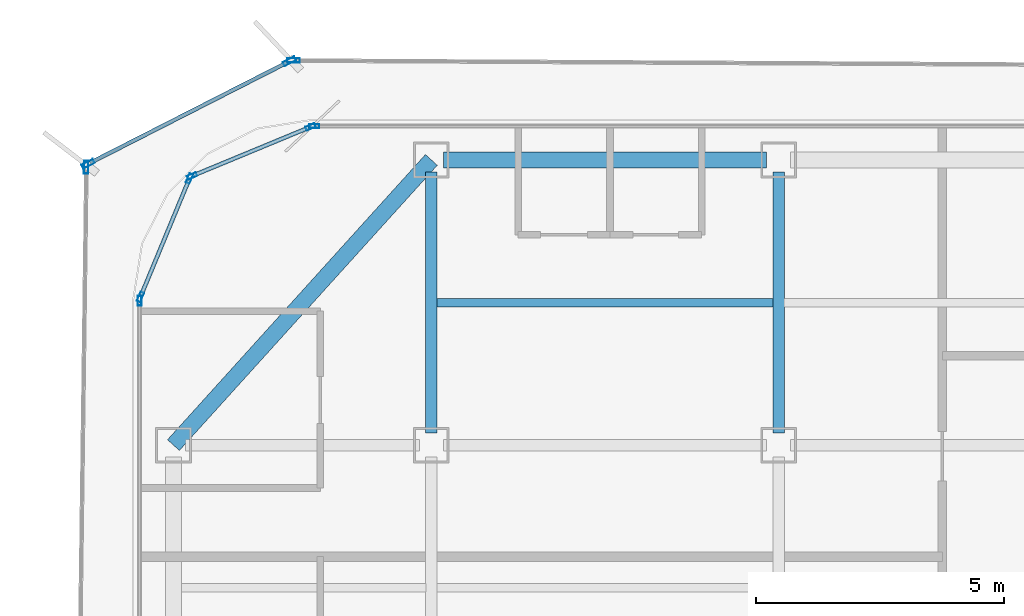
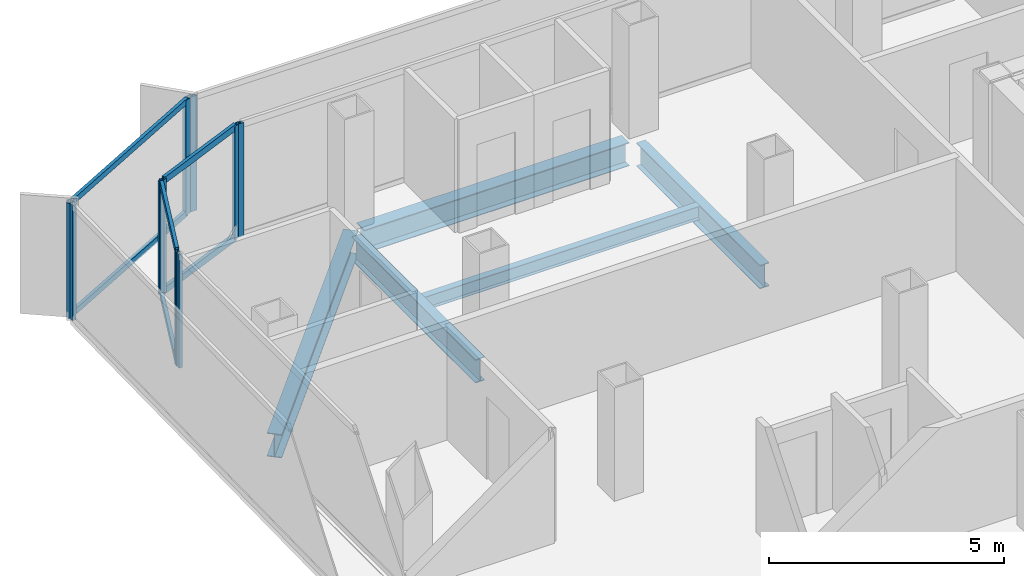
# One storey, part 6 of 15: 16 members, 5 beams, 7 elements without a shape of their own.
"""IFC4 building model written with IfcOpenShell, lengths in metres."""

from ifc_helpers import new_model, si_unit, direction, frame, origin, origin_2d, place, context, subcontext, project, spatial, hollow_rectangle, i_section, extrude, source, transform, mapped, material, layer, layer_set, material_profile, profile_set, type_object, element, aggregate, save


model = new_model("IFC4")

# Units and contexts
model_context = context("Model", 3, precision=1e-05, world=origin(), true_north=direction((0.0, 1.0)))
body_context = subcontext(model_context, "Body", "Model", "MODEL_VIEW")
ifc_project = project(units=[si_unit("LENGTHUNIT", "METRE"), si_unit("AREAUNIT", "SQUARE_METRE"), si_unit("VOLUMEUNIT", "CUBIC_METRE"), si_unit("PLANEANGLEUNIT", "RADIAN"), si_unit("MASSUNIT", "GRAM", prefix="KILO")], contexts=[model_context])

# Site, building, storey
site_placement = place(None, origin())
site = spatial("IfcSite", under=ifc_project, at=site_placement, CompositionType="ELEMENT")
building_placement = place(site_placement, origin())
building = spatial("IfcBuilding", under=site, at=building_placement, Name="Kolveth Station Tower", CompositionType="ELEMENT")
storey_placement = place(building_placement, frame((0.0, 0.0, 168.89990234375)))
storey = spatial("IfcBuildingStorey", under=building, at=storey_placement, Name="L47", CompositionType="ELEMENT", Elevation=168.89990234375)

# Beams
ifc_material_1 = material(Name="Steel S355", Category="steel")
ifc_material_profile_1 = material_profile(ifc_material_1, i_section(OverallWidth=0.323974609375, OverallDepth=0.611083984375, WebThickness=0.0126953125, FlangeThickness=0.01904296875, at=origin_2d()), Name="W610x155")
ifc_profile_set_1 = profile_set([ifc_material_profile_1], Name="Steel S355")
beam_type_1 = type_object("IfcBeamType", Name="Beam_SP2", PredefinedType="SPANDREL", material=ifc_profile_set_1)
shared_shape_1 = source(origin(), body_context, "Body", "SweptSolid", [
    extrude(i_section(OverallWidth=0.323974609375, OverallDepth=0.611083984375, WebThickness=0.0126953125, FlangeThickness=0.01904296875, at=origin_2d()), origin(), (0.0, 0.0, 1.0), 7.75244140625),
])
beam_1_placement = place(storey_placement, frame((6.0, 34.5, -0.555419921875), z_axis=(-0.670740965555, -0.74169168603, 0.0), x_axis=(0.74169168603, -0.670740965555, 0.0)))
element("IfcBeam", 1, at=beam_1_placement, inside=storey, type_object=beam_type_1, Name="L47 Corner Edge Girder BM-L47-CNR-NW", PredefinedType="SPANDREL", context=body_context, shape_type="MappedRepresentation", body=[
    mapped(shared_shape_1, transform((0.0, 0.0, 0.0), x_axis=(1.0, 0.0, 0.0), y_axis=(0.0, 1.0, 0.0), z_axis=(0.0, 0.0, 1.0), scale=1.0)),
])
shared_shape_2 = source(origin(), body_context, "Body", "SweptSolid", [
    extrude(i_section(OverallWidth=0.323974609375, OverallDepth=0.611083984375, WebThickness=0.0126953125, FlangeThickness=0.01904296875, at=origin_2d()), origin(), (0.0, 0.0, 1.0), 6.52001953125),
])
beam_2_placement = place(storey_placement, frame((6.239990234375, 34.5, -0.555419921875), z_axis=(1.0, 0.0, 0.0), x_axis=(0.0, 1.0, 0.0)))
element("IfcBeam", 2, at=beam_2_placement, inside=storey, type_object=beam_type_1, Name="L47 Perimeter Spandrel BM-L47-PN-1", PredefinedType="SPANDREL", context=body_context, shape_type="MappedRepresentation", body=[
    mapped(shared_shape_2, transform((0.0, 0.0, 0.0), x_axis=(1.0, 0.0, 0.0), y_axis=(0.0, 1.0, 0.0), z_axis=(0.0, 0.0, 1.0), scale=1.0)),
])
ifc_material_profile_2 = material_profile(ifc_material_1, i_section(OverallWidth=0.22900390625, OverallDepth=0.612060546875, WebThickness=0.011962890625, FlangeThickness=0.01953125, at=origin_2d()), Name="W610x125")
ifc_profile_set_2 = profile_set([ifc_material_profile_2], Name="Steel S355")
beam_type_2 = type_object("IfcBeamType", Name="Beam_B5", PredefinedType="BEAM", material=ifc_profile_set_2)
shared_shape_3 = source(origin(), body_context, "Body", "SweptSolid", [
    extrude(i_section(OverallWidth=0.22900390625, OverallDepth=0.612060546875, WebThickness=0.011962890625, FlangeThickness=0.01953125, at=origin_2d()), origin(), (0.0, 0.0, 1.0), 5.27001953125),
])
for number, where, z_axis, x_axis, name in (
    (3, (6.0, 28.989990234375, -0.555908203125), (0.0, 1.0, 0.0), (-1.0, 0.0, 0.0), "L47 Primary Girder BM-L47-GX60-6"),
    (4, (13.0, 28.989990234375, -0.555908203125), (0.0, 1.0, 0.0), (-1.0, 0.0, 0.0), "L47 Primary Girder BM-L47-GX130-6"),
):
    element("IfcBeam", number, at=place(storey_placement, frame(where, z_axis=z_axis, x_axis=x_axis)), inside=storey, type_object=beam_type_2, Name=name, PredefinedType="BEAM", context=body_context, shape_type="MappedRepresentation", body=[
        mapped(shared_shape_3, transform((0.0, 0.0, 0.0), x_axis=(1.0, 0.0, 0.0), y_axis=(0.0, 1.0, 0.0), z_axis=(0.0, 0.0, 1.0), scale=1.0)),
    ])
ifc_material_profile_3 = material_profile(ifc_material_1, i_section(OverallWidth=0.1708984375, OverallDepth=0.35205078125, WebThickness=0.0068359375, FlangeThickness=0.009765625, at=origin_2d()), Name="W360x44")
ifc_profile_set_3 = profile_set([ifc_material_profile_3], Name="Steel S355")
beam_type_3 = type_object("IfcBeamType", Name="Beam_J2", PredefinedType="JOIST", material=ifc_profile_set_3)
shared_shape_4 = source(origin(), body_context, "Body", "SweptSolid", [
    extrude(i_section(OverallWidth=0.1708984375, OverallDepth=0.35205078125, WebThickness=0.0068359375, FlangeThickness=0.009765625, at=origin_2d()), origin(), (0.0, 0.0, 1.0), 6.77490234375),
])
beam_3_placement = place(storey_placement, frame((6.112548828125, 31.625, -0.42578125), z_axis=(1.0, 0.0, 0.0), x_axis=(0.0, 1.0, 0.0)))
element("IfcBeam", 5, at=beam_3_placement, inside=storey, type_object=beam_type_3, Name="L47 Secondary Joist JST-L47-2-6", PredefinedType="JOIST", context=body_context, shape_type="MappedRepresentation", body=[
    mapped(shared_shape_4, transform((0.0, 0.0, 0.0), x_axis=(1.0, 0.0, 0.0), y_axis=(0.0, 1.0, 0.0), z_axis=(0.0, 0.0, 1.0), scale=1.0)),
])

# Curtain wall, member
ifc_material_2 = material(Name="Black anodized aluminium 6063-T6 and dark solar glass", Category="aluminium")
ifc_layer_1 = layer(ifc_material_2, 0.159912109375)
ifc_layer_set_1 = layer_set([ifc_layer_1], Name="Black anodized aluminium 6063-T6 and dark solar glass")
curtain_wall_type_1 = type_object("IfcCurtainWallType", Name="OUTER SKIN CW-OS", PredefinedType="NOTDEFINED", material=ifc_layer_set_1)
curtain_wall_1_placement = place(storey_placement, origin())
curtain_wall_1 = element("IfcCurtainWall", 6, at=curtain_wall_1_placement, inside=storey, type_object=curtain_wall_type_1, Name="L47 Outer Ventilated Skin Curtain Wall 4", PredefinedType="NOTDEFINED")
ifc_material_3 = material(Name="Black anodized aluminium 6063-T6", Category="aluminium")
ifc_material_profile_4 = material_profile(ifc_material_3, hollow_rectangle(XDim=0.090087890625, YDim=0.260009765625, WallThickness=0.0048828125, at=origin_2d()), Name="ALU-90x260x5")
ifc_profile_set_4 = profile_set([ifc_material_profile_4], Name="Black anodized aluminium 6063-T6")
member_type_1 = type_object("IfcMemberType", Name="FIN MULLION ML-OS", PredefinedType="MULLION", material=ifc_profile_set_4)
shared_shape_5 = source(origin(), body_context, "Body", "SweptSolid", [
    extrude(hollow_rectangle(XDim=0.090087890625, YDim=0.260009765625, WallThickness=0.0048828125, at=origin_2d()), origin(), (0.0, 0.0, 1.0), 2.989990234375),
])
member_1_placement = place(storey_placement, frame((3.22119140625, 36.50634765625, 0.0), z_axis=(0.0, 0.0, 1.0), x_axis=(-0.005367968121, -0.999985592355, 0.0)))
member_1 = element("IfcMember", 7, at=member_1_placement, type_object=member_type_1, Name="CW-OS mullion 2", PredefinedType="MULLION", context=body_context, shape_type="MappedRepresentation", body=[
    mapped(shared_shape_5, transform((0.0, 0.0, 0.0), x_axis=(1.0, 0.0, 0.0), y_axis=(0.0, 1.0, 0.0), z_axis=(0.0, 0.0, 1.0), scale=1.0)),
])
aggregate(curtain_wall_1, [member_1])

# Curtain wall, members
curtain_wall_2_placement = place(storey_placement, origin())
curtain_wall_2 = element("IfcCurtainWall", 8, at=curtain_wall_2_placement, inside=storey, type_object=curtain_wall_type_1, Name="L47 Outer Ventilated Skin Curtain Wall 5", PredefinedType="NOTDEFINED")
member_2_placement = place(storey_placement, frame((3.135986328125, 36.486083984375, 0.0), z_axis=(0.0, 0.0, 1.0), x_axis=(0.454104609267, -0.890948373276, 0.0)))
member_2 = element("IfcMember", 9, at=member_2_placement, type_object=member_type_1, Name="CW-OS mullion 1", PredefinedType="MULLION", context=body_context, shape_type="MappedRepresentation", body=[
    mapped(shared_shape_5, transform((0.0, 0.0, 0.0), x_axis=(1.0, 0.0, 0.0), y_axis=(0.0, 1.0, 0.0), z_axis=(0.0, 0.0, 1.0), scale=1.0)),
])
member_3_placement = place(storey_placement, frame((-0.918212890625, 34.419677734375, 0.0), z_axis=(0.0, 0.0, 1.0), x_axis=(0.454104609267, -0.890948373276, 0.0)))
member_3 = element("IfcMember", 10, at=member_3_placement, type_object=member_type_1, Name="CW-OS mullion 2", PredefinedType="MULLION", context=body_context, shape_type="MappedRepresentation", body=[
    mapped(shared_shape_5, transform((0.0, 0.0, 0.0), x_axis=(1.0, 0.0, 0.0), y_axis=(0.0, 1.0, 0.0), z_axis=(0.0, 0.0, 1.0), scale=1.0)),
])

# Curtain wall, member
curtain_wall_3_placement = place(storey_placement, origin())
curtain_wall_3 = element("IfcCurtainWall", 11, at=curtain_wall_3_placement, inside=storey, type_object=curtain_wall_type_1, Name="L47 Outer Ventilated Skin Curtain Wall 6", PredefinedType="NOTDEFINED")
member_4_placement = place(storey_placement, frame((-0.958984375, 34.354248046875, 0.0), z_axis=(0.0, 0.0, 1.0), x_axis=(0.999914533715, -0.013073838988, 0.0)))
member_4 = element("IfcMember", 12, at=member_4_placement, type_object=member_type_1, Name="CW-OS mullion 1", PredefinedType="MULLION", context=body_context, shape_type="MappedRepresentation", body=[
    mapped(shared_shape_5, transform((0.0, 0.0, 0.0), x_axis=(1.0, 0.0, 0.0), y_axis=(0.0, 1.0, 0.0), z_axis=(0.0, 0.0, 1.0), scale=1.0)),
])
aggregate(curtain_wall_3, [member_4])

ifc_material_4 = material(Name="Aluminium 6063-T6 and low-E dark glass", Category="aluminium")
ifc_layer_2 = layer(ifc_material_4, 0.18994140625)
ifc_layer_set_2 = layer_set([ifc_layer_2], Name="Aluminium 6063-T6 and low-E dark glass")
curtain_wall_type_2 = type_object("IfcCurtainWallType", Name="CurtainWall_CW-Z2", PredefinedType="NOTDEFINED", material=ifc_layer_set_2)
curtain_wall_4_placement = place(storey_placement, origin())
curtain_wall_4 = element("IfcCurtainWall", 13, at=curtain_wall_4_placement, inside=storey, type_object=curtain_wall_type_2, Name="L47 Inner Thermal Curtain Wall 6", PredefinedType="NOTDEFINED")
ifc_material_profile_5 = material_profile(ifc_material_3, hollow_rectangle(XDim=0.080078125, YDim=0.199951171875, WallThickness=0.0048828125, at=origin_2d()), Name="ALU-80x200x5")
ifc_profile_set_5 = profile_set([ifc_material_profile_5], Name="Black anodized aluminium 6063-T6")
member_type_2 = type_object("IfcMemberType", Name="Mullion_ML2", PredefinedType="MULLION", material=ifc_profile_set_5)
shared_shape_6 = source(origin(), body_context, "Body", "SweptSolid", [
    extrude(hollow_rectangle(XDim=0.080078125, YDim=0.199951171875, WallThickness=0.0048828125, at=origin_2d()), origin(), (0.0, 0.0, 1.0), 2.9501953125),
])
member_5_placement = place(storey_placement, frame((3.639892578125, 35.179931640625, 0.0), z_axis=(0.0, 0.0, 1.0), x_axis=(0.0, -1.0, 0.0)))
member_5 = element("IfcMember", 14, at=member_5_placement, type_object=member_type_2, Name="CW-Z2 mullion 2", PredefinedType="MULLION", context=body_context, shape_type="MappedRepresentation", body=[
    mapped(shared_shape_6, transform((0.0, 0.0, 0.0), x_axis=(1.0, 0.0, 0.0), y_axis=(0.0, 1.0, 0.0), z_axis=(0.0, 0.0, 1.0), scale=1.0)),
])
aggregate(curtain_wall_4, [member_5])

# Curtain wall, members
curtain_wall_5_placement = place(storey_placement, origin())
curtain_wall_5 = element("IfcCurtainWall", 15, at=curtain_wall_5_placement, inside=storey, type_object=curtain_wall_type_2, Name="L47 Inner Thermal Curtain Wall 7", PredefinedType="NOTDEFINED")
member_6_placement = place(storey_placement, frame((3.56298828125, 35.164794921875, 0.0), z_axis=(0.0, 0.0, 1.0), x_axis=(0.382697753087, -0.923873600544, 0.0)))
member_6 = element("IfcMember", 16, at=member_6_placement, type_object=member_type_2, Name="CW-Z2 mullion 1", PredefinedType="MULLION", context=body_context, shape_type="MappedRepresentation", body=[
    mapped(shared_shape_6, transform((0.0, 0.0, 0.0), x_axis=(1.0, 0.0, 0.0), y_axis=(0.0, 1.0, 0.0), z_axis=(0.0, 0.0, 1.0), scale=1.0)),
])
member_7_placement = place(storey_placement, frame((1.17626953125, 34.176025390625, 0.0), z_axis=(0.0, 0.0, 1.0), x_axis=(0.382697753087, -0.923873600544, 0.0)))
member_7 = element("IfcMember", 17, at=member_7_placement, type_object=member_type_2, Name="CW-Z2 mullion 2", PredefinedType="MULLION", context=body_context, shape_type="MappedRepresentation", body=[
    mapped(shared_shape_6, transform((0.0, 0.0, 0.0), x_axis=(1.0, 0.0, 0.0), y_axis=(0.0, 1.0, 0.0), z_axis=(0.0, 0.0, 1.0), scale=1.0)),
])

curtain_wall_6_placement = place(storey_placement, origin())
curtain_wall_6 = element("IfcCurtainWall", 18, at=curtain_wall_6_placement, inside=storey, type_object=curtain_wall_type_2, Name="L47 Inner Thermal Curtain Wall 8", PredefinedType="NOTDEFINED")
member_8_placement = place(storey_placement, frame((1.1240234375, 34.123779296875, 0.0), z_axis=(0.0, 0.0, 1.0), x_axis=(0.923873600544, -0.382697753087, 0.0)))
member_8 = element("IfcMember", 19, at=member_8_placement, type_object=member_type_2, Name="CW-Z2 mullion 1", PredefinedType="MULLION", context=body_context, shape_type="MappedRepresentation", body=[
    mapped(shared_shape_6, transform((0.0, 0.0, 0.0), x_axis=(1.0, 0.0, 0.0), y_axis=(0.0, 1.0, 0.0), z_axis=(0.0, 0.0, 1.0), scale=1.0)),
])
member_9_placement = place(storey_placement, frame((0.13525390625, 31.737060546875, 0.0), z_axis=(0.0, 0.0, 1.0), x_axis=(0.923873600544, -0.382697753087, 0.0)))
member_9 = element("IfcMember", 20, at=member_9_placement, type_object=member_type_2, Name="CW-Z2 mullion 2", PredefinedType="MULLION", context=body_context, shape_type="MappedRepresentation", body=[
    mapped(shared_shape_6, transform((0.0, 0.0, 0.0), x_axis=(1.0, 0.0, 0.0), y_axis=(0.0, 1.0, 0.0), z_axis=(0.0, 0.0, 1.0), scale=1.0)),
])

# Curtain wall, member
curtain_wall_7_placement = place(storey_placement, origin())
curtain_wall_7 = element("IfcCurtainWall", 21, at=curtain_wall_7_placement, inside=storey, type_object=curtain_wall_type_2, Name="L47 Inner Thermal Curtain Wall 9", PredefinedType="NOTDEFINED")
member_10_placement = place(storey_placement, frame((0.1201171875, 31.659912109375, 0.0), z_axis=(0.0, 0.0, 1.0), x_axis=(1.0, 0.0, 0.0)))
member_10 = element("IfcMember", 22, at=member_10_placement, type_object=member_type_2, Name="CW-Z2 mullion 1", PredefinedType="MULLION", context=body_context, shape_type="MappedRepresentation", body=[
    mapped(shared_shape_6, transform((0.0, 0.0, 0.0), x_axis=(1.0, 0.0, 0.0), y_axis=(0.0, 1.0, 0.0), z_axis=(0.0, 0.0, 1.0), scale=1.0)),
])
aggregate(curtain_wall_7, [member_10])

# Member
ifc_material_profile_6 = material_profile(ifc_material_3, hollow_rectangle(XDim=0.080078125, YDim=0.169921875, WallThickness=0.0048828125, at=origin_2d()), Name="ALU-80x170x5")
ifc_profile_set_6 = profile_set([ifc_material_profile_6], Name="Black anodized aluminium 6063-T6")
member_type_3 = type_object("IfcMemberType", Name="Transom_TR2", PredefinedType="USERDEFINED", material=ifc_profile_set_6)
shared_shape_7 = source(origin(), body_context, "Body", "SweptSolid", [
    extrude(hollow_rectangle(XDim=0.080078125, YDim=0.169921875, WallThickness=0.0048828125, at=origin_2d()), origin(), (0.0, 0.0, 1.0), 2.50341796875),
])
member_11_placement = place(storey_placement, frame((3.526123046875, 35.1494140625, 0.0400390625), z_axis=(-0.923888472039, -0.382661849723, 0.0), x_axis=(0.382661849723, -0.923888472039, 0.0)))
member_11 = element("IfcMember", 23, at=member_11_placement, type_object=member_type_3, Name="CW-Z2 transom 1.1", ObjectType="TRANSOM", PredefinedType="USERDEFINED", context=body_context, shape_type="MappedRepresentation", body=[
    mapped(shared_shape_7, transform((0.0, 0.0, 0.0), x_axis=(1.0, 0.0, 0.0), y_axis=(0.0, 1.0, 0.0), z_axis=(0.0, 0.0, 1.0), scale=1.0)),
])

member_12_placement = place(storey_placement, frame((3.526123046875, 35.1494140625, 2.91015625), z_axis=(-0.923888472039, -0.382661849723, 0.0), x_axis=(0.382661849723, -0.923888472039, 0.0)))
member_12 = element("IfcMember", 24, at=member_12_placement, type_object=member_type_3, Name="CW-Z2 transom 1.2", ObjectType="TRANSOM", PredefinedType="USERDEFINED", context=body_context, shape_type="MappedRepresentation", body=[
    mapped(shared_shape_7, transform((0.0, 0.0, 0.0), x_axis=(1.0, 0.0, 0.0), y_axis=(0.0, 1.0, 0.0), z_axis=(0.0, 0.0, 1.0), scale=1.0)),
])

aggregate(curtain_wall_5, [member_6, member_7, member_11, member_12])

member_13_placement = place(storey_placement, frame((1.108642578125, 34.086669921875, 0.0400390625), z_axis=(-0.382696328882, -0.923874190494, 0.0), x_axis=(0.923874190494, -0.382696328882, 0.0)))
member_13 = element("IfcMember", 25, at=member_13_placement, type_object=member_type_3, Name="CW-Z2 transom 1.1", ObjectType="TRANSOM", PredefinedType="USERDEFINED", context=body_context, shape_type="MappedRepresentation", body=[
    mapped(shared_shape_7, transform((0.0, 0.0, 0.0), x_axis=(1.0, 0.0, 0.0), y_axis=(0.0, 1.0, 0.0), z_axis=(0.0, 0.0, 1.0), scale=1.0)),
])

member_14_placement = place(storey_placement, frame((1.108642578125, 34.086669921875, 2.91015625), z_axis=(-0.382696328882, -0.923874190494, 0.0), x_axis=(0.923874190494, -0.382696328882, 0.0)))
member_14 = element("IfcMember", 26, at=member_14_placement, type_object=member_type_3, Name="CW-Z2 transom 1.2", ObjectType="TRANSOM", PredefinedType="USERDEFINED", context=body_context, shape_type="MappedRepresentation", body=[
    mapped(shared_shape_7, transform((0.0, 0.0, 0.0), x_axis=(1.0, 0.0, 0.0), y_axis=(0.0, 1.0, 0.0), z_axis=(0.0, 0.0, 1.0), scale=1.0)),
])

aggregate(curtain_wall_6, [member_8, member_9, member_13, member_14])

ifc_material_profile_7 = material_profile(ifc_material_3, hollow_rectangle(XDim=0.080078125, YDim=0.14990234375, WallThickness=0.0048828125, at=origin_2d()), Name="ALU-80x150x5")
ifc_profile_set_7 = profile_set([ifc_material_profile_7], Name="Black anodized aluminium 6063-T6")
member_type_4 = type_object("IfcMemberType", Name="Transom_TR-OS", PredefinedType="USERDEFINED", material=ifc_profile_set_7)
shared_shape_8 = source(origin(), body_context, "Body", "SweptSolid", [
    extrude(hollow_rectangle(XDim=0.080078125, YDim=0.14990234375, WallThickness=0.0048828125, at=origin_2d()), origin(), (0.0, 0.0, 1.0), 4.460693359375),
])
member_15_placement = place(storey_placement, frame((3.095947265625, 36.4658203125, 0.0400390625), z_axis=(-0.890941318896, -0.454118449618, 0.0), x_axis=(0.454118449618, -0.890941318896, 0.0)))
member_15 = element("IfcMember", 27, at=member_15_placement, type_object=member_type_4, Name="CW-OS transom 1.1", ObjectType="TRANSOM", PredefinedType="USERDEFINED", context=body_context, shape_type="MappedRepresentation", body=[
    mapped(shared_shape_8, transform((0.0, 0.0, 0.0), x_axis=(1.0, 0.0, 0.0), y_axis=(0.0, 1.0, 0.0), z_axis=(0.0, 0.0, 1.0), scale=1.0)),
])

member_16_placement = place(storey_placement, frame((3.095947265625, 36.4658203125, 2.9501953125), z_axis=(-0.890941318896, -0.454118449618, 0.0), x_axis=(0.454118449618, -0.890941318896, 0.0)))
member_16 = element("IfcMember", 28, at=member_16_placement, type_object=member_type_4, Name="CW-OS transom 1.2", ObjectType="TRANSOM", PredefinedType="USERDEFINED", context=body_context, shape_type="MappedRepresentation", body=[
    mapped(shared_shape_8, transform((0.0, 0.0, 0.0), x_axis=(1.0, 0.0, 0.0), y_axis=(0.0, 1.0, 0.0), z_axis=(0.0, 0.0, 1.0), scale=1.0)),
])

aggregate(curtain_wall_2, [member_2, member_3, member_15, member_16])

save(model, "model.ifc")
